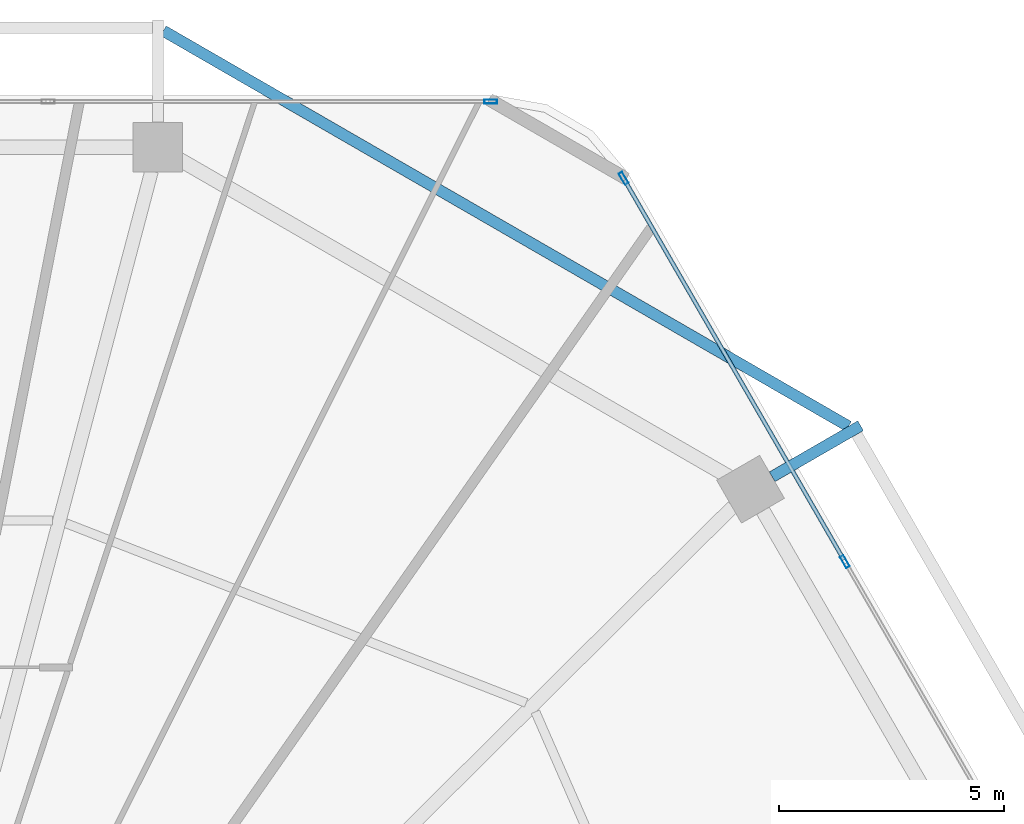
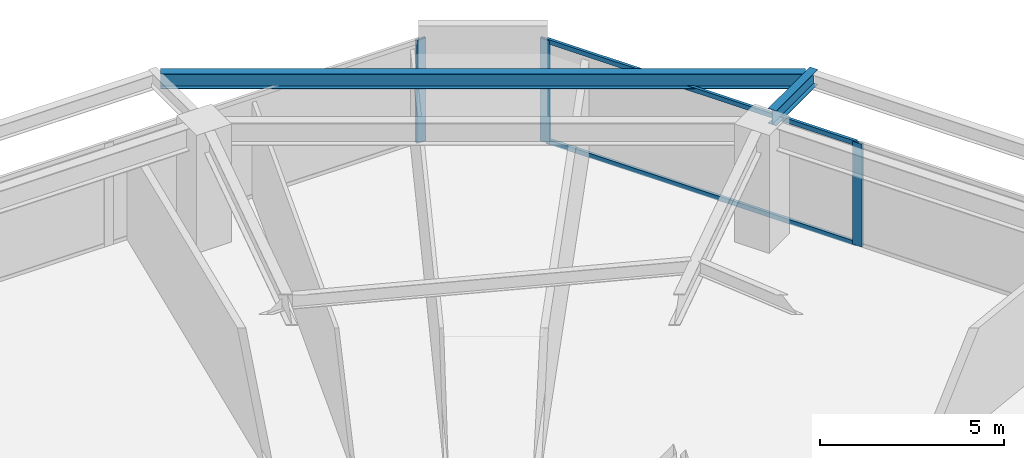
# One storey, part 22 of 28: 5 members, 2 beams, 2 elements without a shape of their own.
"""IFC4 building model written with IfcOpenShell, lengths in metres."""

from ifc_helpers import new_model, si_unit, direction, frame, origin, origin_2d, place, context, subcontext, project, spatial, hollow_rectangle, i_section, extrude, material, material_profile, profile_set, type_object, element, aggregate, save


model = new_model("IFC4")

# Units and contexts
model_context = context("Model", 3, precision=1e-05, world=origin(), true_north=direction((0.0, 1.0)))
body_context = subcontext(model_context, "Body", "Model", "MODEL_VIEW")
ifc_project = project(units=[si_unit("LENGTHUNIT", "METRE"), si_unit("AREAUNIT", "SQUARE_METRE"), si_unit("VOLUMEUNIT", "CUBIC_METRE"), si_unit("PLANEANGLEUNIT", "RADIAN"), si_unit("MASSUNIT", "GRAM", prefix="KILO")], contexts=[model_context])

# Site, building, storey
site_placement = place(None, origin())
site = spatial("IfcSite", under=ifc_project, at=site_placement, CompositionType="ELEMENT")
building_placement = place(site_placement, origin())
building = spatial("IfcBuilding", under=site, at=building_placement, Name="Zuhravey Tower", CompositionType="ELEMENT")
storey_placement = place(building_placement, frame((0.0, 0.0, 79.199951171875)))
storey = spatial("IfcBuildingStorey", under=building, at=storey_placement, Name="L19", CompositionType="ELEMENT", Elevation=79.199951171875)

# Curtain wall, member
ifc_material_1 = material(Name="Thermally broken anodised aluminium", Category="aluminium")
curtain_wall_type = type_object("IfcCurtainWallType", Name="School Low-E Unitised Curtain Wall CW1", PredefinedType="NOTDEFINED", material=ifc_material_1)
curtain_wall_1_placement = place(storey_placement, origin())
curtain_wall_1 = element("IfcCurtainWall", 1, at=curtain_wall_1_placement, inside=storey, type_object=curtain_wall_type, Name="L19 CW1 CW-L19-F2-1", PredefinedType="NOTDEFINED")
ifc_material_2 = material(Name="Anodised aluminium", Category="aluminium")
ifc_material_profile_1 = material_profile(ifc_material_2, hollow_rectangle(XDim=0.090087890625, YDim=0.284912109375, WallThickness=0.0048828125, at=origin_2d()), Name="ALU-RHS-90x285x5")
ifc_profile_set_1 = profile_set([ifc_material_profile_1], Name="Anodised aluminium")
member_type_1 = type_object("IfcMemberType", Name="Curtain-Wall Mullion 90x180", PredefinedType="MULLION", material=ifc_profile_set_1)
member_1_placement = place(storey_placement, frame((50.75439453125, 60.95849609375, 0.0), z_axis=(0.0, 0.0, 1.0), x_axis=(0.0, 1.0, 0.0)))
member_1 = element("IfcMember", 2, at=member_1_placement, type_object=member_type_1, Name="CW1 mullion 4", PredefinedType="MULLION", context=body_context, shape_type="SweptSolid", body=[
    extrude(hollow_rectangle(XDim=0.090087890625, YDim=0.284912109375, WallThickness=0.0048828125, at=origin_2d()), origin(), (0.0, 0.0, 1.0), 3.420166015625),
])
aggregate(curtain_wall_1, [member_1])

# Curtain wall, members
curtain_wall_2_placement = place(storey_placement, origin())
curtain_wall_2 = element("IfcCurtainWall", 3, at=curtain_wall_2_placement, inside=storey, type_object=curtain_wall_type, Name="L19 CW1 CW-L19-F1-1", PredefinedType="NOTDEFINED")
member_2_placement = place(storey_placement, frame((53.701416015625, 59.257080078125, 0.0), z_axis=(0.0, 0.0, 1.0), x_axis=(0.86602552265, 0.499999794119, 0.0)))
member_2 = element("IfcMember", 4, at=member_2_placement, type_object=member_type_1, Name="CW1 mullion 1", PredefinedType="MULLION", context=body_context, shape_type="SweptSolid", body=[
    extrude(hollow_rectangle(XDim=0.090087890625, YDim=0.284912109375, WallThickness=0.0048828125, at=origin_2d()), origin(), (0.0, 0.0, 1.0), 3.420166015625),
])
member_3_placement = place(storey_placement, frame((58.612060546875, 50.75146484375, 0.0), z_axis=(0.0, 0.0, 1.0), x_axis=(0.86602552265, 0.499999794119, 0.0)))
member_3 = element("IfcMember", 5, at=member_3_placement, type_object=member_type_1, Name="CW1 mullion 2", PredefinedType="MULLION", context=body_context, shape_type="SweptSolid", body=[
    extrude(hollow_rectangle(XDim=0.090087890625, YDim=0.284912109375, WallThickness=0.0048828125, at=origin_2d()), origin(), (0.0, 0.0, 1.0), 3.420166015625),
])
ifc_material_profile_2 = material_profile(ifc_material_2, hollow_rectangle(XDim=0.090087890625, YDim=0.14990234375, WallThickness=0.0048828125, at=origin_2d()), Name="ALU-RHS-90x150x5")
ifc_profile_set_2 = profile_set([ifc_material_profile_2], Name="Anodised aluminium")
member_type_2 = type_object("IfcMemberType", Name="Curtain-Wall Transom 90x150", PredefinedType="USERDEFINED", material=ifc_profile_set_2)
member_4_placement = place(storey_placement, frame((53.72412109375, 59.218017578125, 0.045166015625), z_axis=(0.499989576763, -0.86603142156, 0.0), x_axis=(0.86603142156, 0.499989576763, 0.0)))
member_4 = element("IfcMember", 6, at=member_4_placement, type_object=member_type_2, Name="CW1 transom 1.1", ObjectType="TRANSOM", PredefinedType="USERDEFINED", context=body_context, shape_type="SweptSolid", body=[
    extrude(hollow_rectangle(XDim=0.090087890625, YDim=0.14990234375, WallThickness=0.0048828125, at=origin_2d()), origin(), (0.0, 0.0, 1.0), 9.731201171875),
])
member_5_placement = place(storey_placement, frame((53.72412109375, 59.218017578125, 3.375), z_axis=(0.499989576763, -0.86603142156, 0.0), x_axis=(0.86603142156, 0.499989576763, 0.0)))
member_5 = element("IfcMember", 7, at=member_5_placement, type_object=member_type_2, Name="CW1 transom 1.2", ObjectType="TRANSOM", PredefinedType="USERDEFINED", context=body_context, shape_type="SweptSolid", body=[
    extrude(hollow_rectangle(XDim=0.090087890625, YDim=0.14990234375, WallThickness=0.0048828125, at=origin_2d()), origin(), (0.0, 0.0, 1.0), 9.731201171875),
])
aggregate(curtain_wall_2, [member_2, member_3, member_4, member_5])

# Beams
ifc_material_3 = material(Name="Steel SM355", Category="steel")
ifc_material_profile_3 = material_profile(ifc_material_3, i_section(OverallWidth=0.25, OverallDepth=0.5, WebThickness=0.010009765625, FlangeThickness=0.01611328125, at=origin_2d()), Name="H-500x250x10x16")
ifc_profile_set_3 = profile_set([ifc_material_profile_3], Name="Steel SM355")
beam_type = type_object("IfcBeamType", Name="Tray Cantilever Spandrel H500x250", PredefinedType="SPANDREL", material=ifc_profile_set_3)
beam_1_placement = place(storey_placement, frame((56.998779296875, 52.6337890625, 3.670166015625), z_axis=(0.866013342106, 0.500020890858, 0.0), x_axis=(-0.500020890858, 0.866013342106, 0.0)))
element("IfcBeam", 8, at=beam_1_placement, inside=storey, type_object=beam_type, Name="L19 Sky-Tray Cantilever Arm TSB1-R02", PredefinedType="SPANDREL", context=body_context, shape_type="SweptSolid", body=[
    extrude(i_section(OverallWidth=0.25, OverallDepth=0.5, WebThickness=0.010009765625, FlangeThickness=0.01611328125, at=origin_2d()), origin(), (0.0, 0.0, 1.0), 2.26611328125),
])
beam_2_placement = place(storey_placement, frame((58.69287109375, 53.751953125, 3.670166015625), z_axis=(-0.866027161532, 0.49999695548, 0.0), x_axis=(-0.49999695548, -0.866027161532, 0.0)))
element("IfcBeam", 9, at=beam_2_placement, inside=storey, type_object=beam_type, Name="L19 Sky-Tray Edge Spandrel TSB1-02", PredefinedType="SPANDREL", context=body_context, shape_type="SweptSolid", body=[
    extrude(i_section(OverallWidth=0.25, OverallDepth=0.5, WebThickness=0.010009765625, FlangeThickness=0.01611328125, at=origin_2d()), origin(), (0.0, 0.0, 1.0), 17.55322265625),
])

save(model, "model.ifc")
